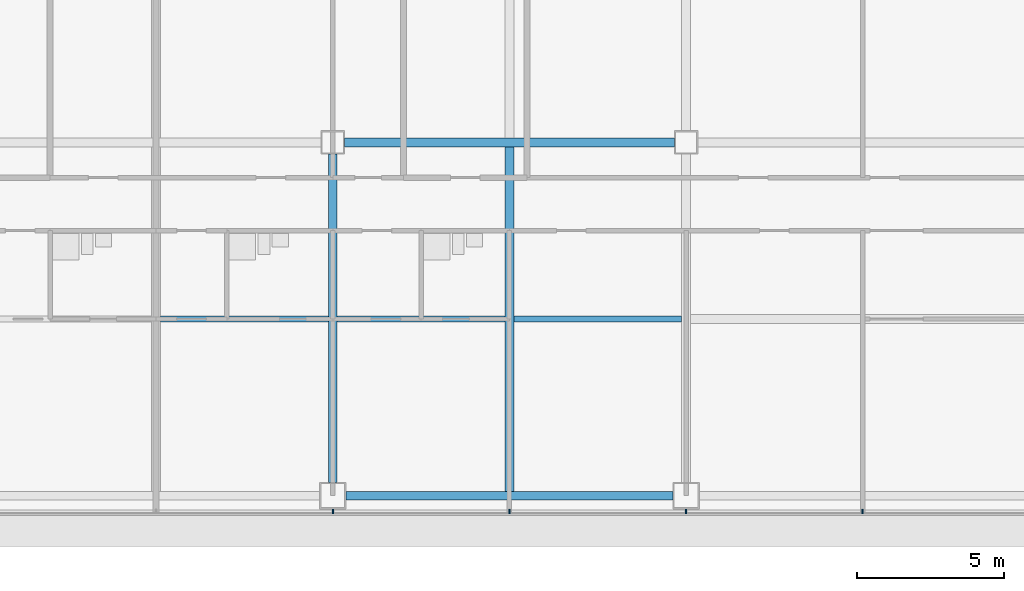
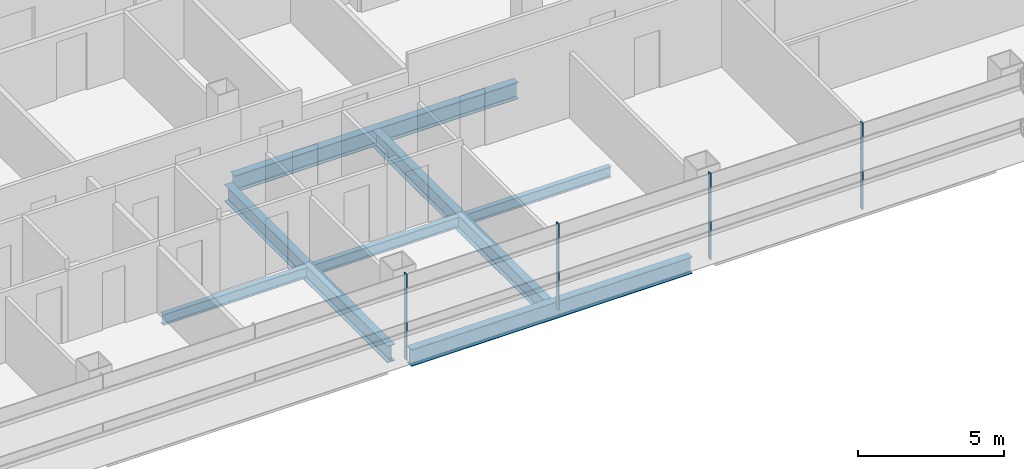
# One storey, part 8 of 26: 7 beams, 4 members, 1 element without a shape of its own.
"""IFC4 building model written with IfcOpenShell, lengths in metres."""

from ifc_helpers import new_model, si_unit, direction, frame, origin, origin_2d, place, context, subcontext, project, spatial, rectangle, i_section, extrude, material, material_profile, profile_set, type_object, element, aggregate, save


model = new_model("IFC4")

# Units and contexts
model_context = context("Model", 3, precision=1e-05, world=origin(), true_north=direction((0.0, 1.0)))
body_context = subcontext(model_context, "Body", "Model", "MODEL_VIEW")
ifc_project = project(units=[si_unit("LENGTHUNIT", "METRE"), si_unit("AREAUNIT", "SQUARE_METRE"), si_unit("VOLUMEUNIT", "CUBIC_METRE"), si_unit("PLANEANGLEUNIT", "RADIAN"), si_unit("MASSUNIT", "GRAM", prefix="KILO")], contexts=[model_context])

# Site, building, storey
site_placement = place(None, origin())
site = spatial("IfcSite", under=ifc_project, at=site_placement, CompositionType="ELEMENT")
building_placement = place(site_placement, origin())
building = spatial("IfcBuilding", under=site, at=building_placement, Name="Sorahane Residences", CompositionType="ELEMENT")
storey_placement = place(building_placement, frame((0.0, 0.0, 67.800048828125)))
storey = spatial("IfcBuildingStorey", under=building, at=storey_placement, Name="L13", CompositionType="ELEMENT", Elevation=67.800048828125)

# Curtain wall, members
ifc_material_1 = material(Name="Dark low-e glass and black anodised aluminium", Category="aluminium")
curtain_wall_type = type_object("IfcCurtainWallType", Name="Curtain wall CW-1 Typical unitised wall", PredefinedType="NOTDEFINED", material=ifc_material_1)
curtain_wall_placement = place(storey_placement, origin())
curtain_wall = element("IfcCurtainWall", 1, at=curtain_wall_placement, inside=storey, type_object=curtain_wall_type, Name="CW-1 curtain wall L13 S1", PredefinedType="NOTDEFINED")
ifc_material_2 = material(Name="Black anodised aluminium", Category="aluminium")
ifc_material_profile_1 = material_profile(ifc_material_2, rectangle(XDim=0.159912109375, YDim=0.050048828125, at=origin_2d()), Name="Curtain wall mullion CW-1 black anodised aluminium 50x160")
ifc_profile_set_1 = profile_set([ifc_material_profile_1], Name="Black anodised aluminium")
member_type = type_object("IfcMemberType", Name="Curtain wall mullion CW-1 black anodised aluminium 50x160", PredefinedType="MULLION", material=ifc_profile_set_1)
member_1_placement = place(storey_placement, frame((36.0, -0.5400390625, -0.179931640625), z_axis=(0.0, 0.0, 1.0), x_axis=(0.0, -1.0, 0.0)))
member_1 = element("IfcMember", 2, at=member_1_placement, type_object=member_type, Name="CW-1 mullion L13 S1.6", PredefinedType="MULLION", context=body_context, shape_type="SweptSolid", body=[
    extrude(rectangle(XDim=0.159912109375, YDim=0.050048828125, at=origin_2d()), origin(), (0.0, 0.0, 1.0), 3.599853515625),
])
member_2_placement = place(storey_placement, frame((42.0, -0.5400390625, -0.179931640625), z_axis=(0.0, 0.0, 1.0), x_axis=(0.0, -1.0, 0.0)))
member_2 = element("IfcMember", 3, at=member_2_placement, type_object=member_type, Name="CW-1 mullion L13 S1.7", PredefinedType="MULLION", context=body_context, shape_type="SweptSolid", body=[
    extrude(rectangle(XDim=0.159912109375, YDim=0.050048828125, at=origin_2d()), origin(), (0.0, 0.0, 1.0), 3.599853515625),
])
member_3_placement = place(storey_placement, frame((48.0, -0.5400390625, -0.179931640625), z_axis=(0.0, 0.0, 1.0), x_axis=(0.0, -1.0, 0.0)))
member_3 = element("IfcMember", 4, at=member_3_placement, type_object=member_type, Name="CW-1 mullion L13 S1.8", PredefinedType="MULLION", context=body_context, shape_type="SweptSolid", body=[
    extrude(rectangle(XDim=0.159912109375, YDim=0.050048828125, at=origin_2d()), origin(), (0.0, 0.0, 1.0), 3.599853515625),
])
member_4_placement = place(storey_placement, frame((54.0, -0.5400390625, -0.179931640625), z_axis=(0.0, 0.0, 1.0), x_axis=(0.0, -1.0, 0.0)))
member_4 = element("IfcMember", 5, at=member_4_placement, type_object=member_type, Name="CW-1 mullion L13 S1.9", PredefinedType="MULLION", context=body_context, shape_type="SweptSolid", body=[
    extrude(rectangle(XDim=0.159912109375, YDim=0.050048828125, at=origin_2d()), origin(), (0.0, 0.0, 1.0), 3.599853515625),
])
aggregate(curtain_wall, [member_1, member_2, member_3, member_4])

# Beams
ifc_material_3 = material(Name="Steel Q355B", Category="steel")
ifc_material_profile_2 = material_profile(ifc_material_3, i_section(OverallWidth=0.199951171875, OverallDepth=0.449951171875, WebThickness=0.009033203125, FlangeThickness=0.013916015625, FilletRadius=0.02001953125, at=origin_2d()), Name="HN 450x200x9x14")
ifc_profile_set_2 = profile_set([ifc_material_profile_2], Name="Steel Q355B")
beam_type_1 = type_object("IfcBeamType", Name="Steel floor beam HN 450x200x9x14 Q355B", PredefinedType="BEAM", material=ifc_profile_set_2)
for number, where, z_axis, x_axis, name in (
    (6, (30.14990234375, 6.0, -0.405029296875), (1.0, 0.0, 0.0), (0.0, 1.0, 0.0), "Beam L13 066"),
    (7, (36.14990234375, 6.0, -0.405029296875), (1.0, 0.0, 0.0), (0.0, 1.0, 0.0), "Beam L13 067"),
    (8, (42.14990234375, 6.0, -0.405029296875), (1.0, 0.0, 0.0), (0.0, 1.0, 0.0), "Beam L13 068"),
):
    element("IfcBeam", number, at=place(storey_placement, frame(where, z_axis=z_axis, x_axis=x_axis)), inside=storey, type_object=beam_type_1, Name=name, PredefinedType="BEAM", context=body_context, shape_type="SweptSolid", body=[
        extrude(i_section(OverallWidth=0.199951171875, OverallDepth=0.449951171875, WebThickness=0.009033203125, FlangeThickness=0.013916015625, FilletRadius=0.02001953125, at=origin_2d()), origin(), (0.0, 0.0, 1.0), 5.7001953125),
    ])
ifc_material_4 = material(Name="Steel Q355B", Category="steel")
ifc_material_profile_3 = material_profile(ifc_material_4, i_section(OverallWidth=0.300048828125, OverallDepth=0.699951171875, WebThickness=0.012939453125, FlangeThickness=0.02392578125, FilletRadius=0.028076171875, at=origin_2d()), Name="HN 700x300x13x24")
ifc_profile_set_3 = profile_set([ifc_material_profile_3], Name="Steel Q355B")
beam_type_2 = type_object("IfcBeamType", Name="Steel floor beam HN 700x300x13x24 Q355B", PredefinedType="BEAM", material=ifc_profile_set_3)
beam_1_placement = place(storey_placement, frame((36.449951171875, 0.0, -0.530029296875), z_axis=(1.0, 0.0, 0.0), x_axis=(0.0, 1.0, 0.0)))
element("IfcBeam", 9, at=beam_1_placement, inside=storey, type_object=beam_type_2, Name="Beam L13 003", PredefinedType="BEAM", context=body_context, shape_type="SweptSolid", body=[
    extrude(i_section(OverallWidth=0.300048828125, OverallDepth=0.699951171875, WebThickness=0.012939453125, FlangeThickness=0.02392578125, FilletRadius=0.028076171875, at=origin_2d()), origin(), (0.0, 0.0, 1.0), 11.10009765625),
])
beam_2_placement = place(storey_placement, frame((36.39990234375, 12.0, -0.530029296875), z_axis=(1.0, 0.0, 0.0), x_axis=(0.0, 1.0, 0.0)))
element("IfcBeam", 10, at=beam_2_placement, inside=storey, type_object=beam_type_2, Name="Beam L13 008", PredefinedType="BEAM", context=body_context, shape_type="SweptSolid", body=[
    extrude(i_section(OverallWidth=0.300048828125, OverallDepth=0.699951171875, WebThickness=0.012939453125, FlangeThickness=0.02392578125, FilletRadius=0.028076171875, at=origin_2d()), origin(), (0.0, 0.0, 1.0), 11.2001953125),
])
beam_3_placement = place(storey_placement, frame((36.0, 0.449951171875, -0.530029296875), z_axis=(0.0, 1.0, 0.0), x_axis=(-1.0, 0.0, 0.0)))
element("IfcBeam", 11, at=beam_3_placement, inside=storey, type_object=beam_type_2, Name="Beam L13 043", PredefinedType="BEAM", context=body_context, shape_type="SweptSolid", body=[
    extrude(i_section(OverallWidth=0.300048828125, OverallDepth=0.699951171875, WebThickness=0.012939453125, FlangeThickness=0.02392578125, FilletRadius=0.028076171875, at=origin_2d()), origin(), (0.0, 0.0, 1.0), 11.150146484375),
])
beam_4_placement = place(storey_placement, frame((42.0, 0.14990234375, -0.530029296875), z_axis=(0.0, 1.0, 0.0), x_axis=(-1.0, 0.0, 0.0)))
element("IfcBeam", 12, at=beam_4_placement, inside=storey, type_object=beam_type_2, Name="Beam L13 045", PredefinedType="BEAM", context=body_context, shape_type="SweptSolid", body=[
    extrude(i_section(OverallWidth=0.300048828125, OverallDepth=0.699951171875, WebThickness=0.012939453125, FlangeThickness=0.02392578125, FilletRadius=0.028076171875, at=origin_2d()), origin(), (0.0, 0.0, 1.0), 11.7001953125),
])

save(model, "model.ifc")
